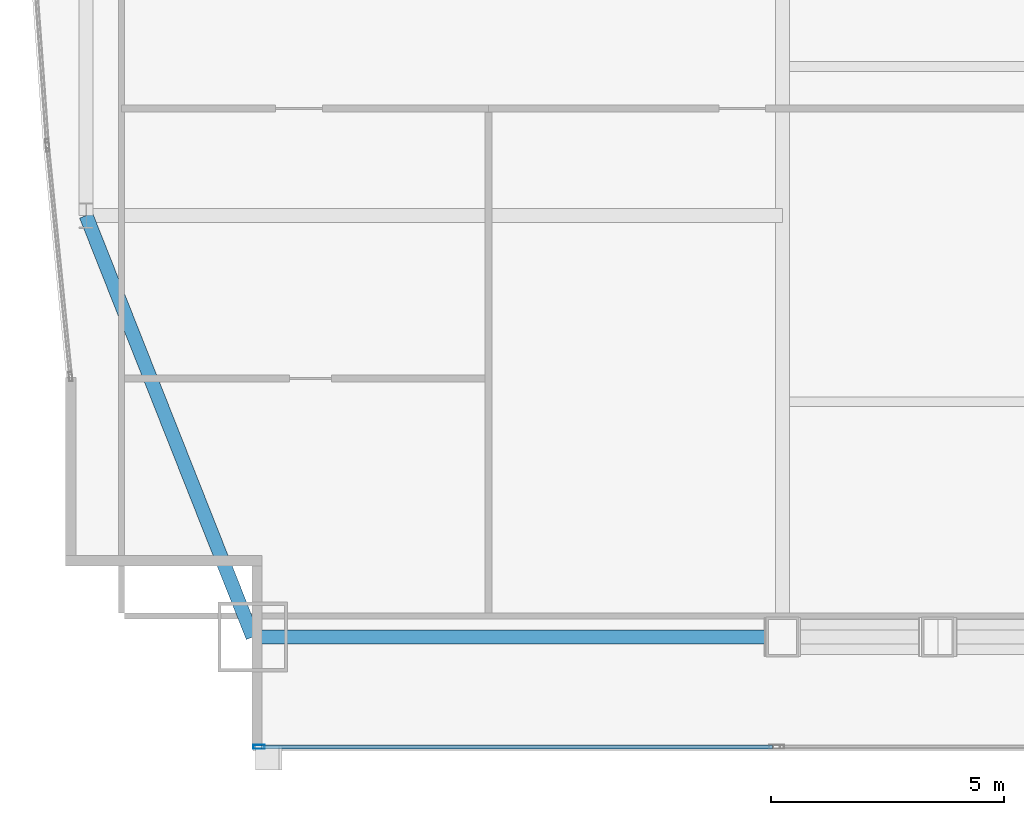
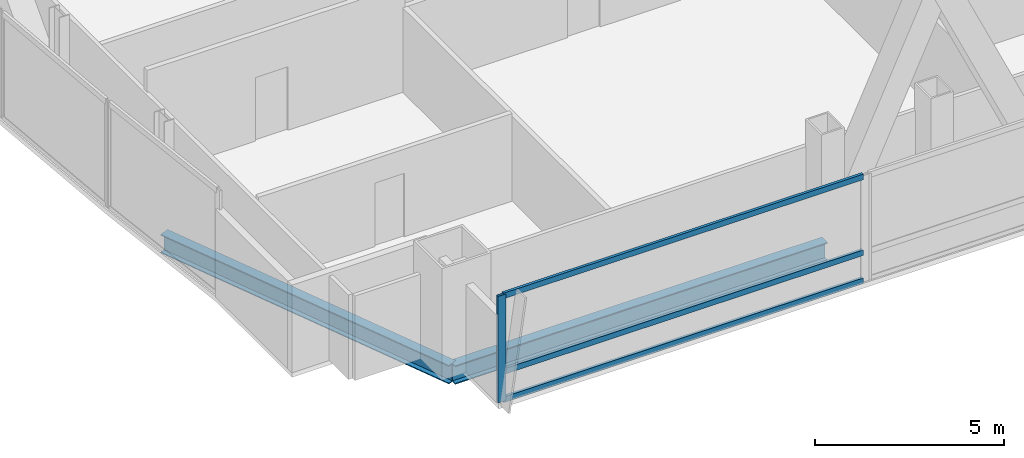
# One storey, part 5 of 31: 4 members, 2 beams, 1 element without a shape of its own.
"""IFC4 building model written with IfcOpenShell, lengths in metres."""

from ifc_helpers import new_model, si_unit, direction, frame, origin, origin_2d, place, context, subcontext, project, spatial, hollow_rectangle, i_section, extrude, material, material_profile, profile_set, type_object, element, aggregate, save


model = new_model("IFC4")

# Units and contexts
model_context = context("Model", 3, precision=1e-05, world=origin(), true_north=direction((0.0, 1.0)))
body_context = subcontext(model_context, "Body", "Model", "MODEL_VIEW")
ifc_project = project(units=[si_unit("LENGTHUNIT", "METRE"), si_unit("AREAUNIT", "SQUARE_METRE"), si_unit("VOLUMEUNIT", "CUBIC_METRE"), si_unit("PLANEANGLEUNIT", "RADIAN"), si_unit("MASSUNIT", "GRAM", prefix="KILO")], contexts=[model_context])

# Site, building, storey
site_placement = place(None, origin())
site = spatial("IfcSite", under=ifc_project, at=site_placement, CompositionType="ELEMENT")
building_placement = place(site_placement, origin())
building = spatial("IfcBuilding", under=site, at=building_placement, Name="Khoronbel Lancet Exchange", CompositionType="ELEMENT")
storey_placement = place(building_placement, frame((0.0, 0.0, 129.0)))
storey = spatial("IfcBuildingStorey", under=building, at=storey_placement, Name="L31", CompositionType="ELEMENT", Elevation=129.0)

# Beams
ifc_material_1 = material(Name="Steel S355", Category="steel")
ifc_material_profile_1 = material_profile(ifc_material_1, i_section(OverallWidth=0.300048828125, OverallDepth=0.60009765625, WebThickness=0.015380859375, FlangeThickness=0.030029296875, at=origin_2d()), Name="HEB 600")
ifc_profile_set_1 = profile_set([ifc_material_profile_1], Name="Steel S355")
beam_type = type_object("IfcBeamType", Name="BM-BSP2", PredefinedType="SPANDREL", material=ifc_profile_set_1)
beam_1_placement = place(storey_placement, frame((6.85009765625, 10.14990234375, -0.4599609375), z_axis=(1.0, 0.0, 0.0), x_axis=(0.0, 1.0, 0.0)))
element("IfcBeam", 1, at=beam_1_placement, inside=storey, type_object=beam_type, Name="Level L31 perimeter spandrel beam SP01", PredefinedType="SPANDREL", context=body_context, shape_type="SweptSolid", body=[
    extrude(i_section(OverallWidth=0.300048828125, OverallDepth=0.60009765625, WebThickness=0.015380859375, FlangeThickness=0.030029296875, at=origin_2d()), origin(), (0.0, 0.0, 1.0), 11.375),
])
beam_2_placement = place(storey_placement, frame((3.27001953125, 19.199951171875, -0.4599609375), z_axis=(0.367850095026, -0.92988510451, 0.0), x_axis=(0.92988510451, 0.367850095026, 0.0)))
element("IfcBeam", 2, at=beam_2_placement, inside=storey, type_object=beam_type, Name="Level L31 perimeter spandrel beam SP21", PredefinedType="SPANDREL", context=body_context, shape_type="SweptSolid", body=[
    extrude(i_section(OverallWidth=0.300048828125, OverallDepth=0.60009765625, WebThickness=0.015380859375, FlangeThickness=0.030029296875, at=origin_2d()), origin(), (0.0, 0.0, 1.0), 9.732421875),
])

# Curtain wall, members
ifc_material_2 = material(Name="Low-E Solar Control Insulating Glass", Category="glass")
curtain_wall_type = type_object("IfcCurtainWallType", Name="CW-2", PredefinedType="NOTDEFINED", material=ifc_material_2)
curtain_wall_placement = place(storey_placement, origin())
curtain_wall = element("IfcCurtainWall", 3, at=curtain_wall_placement, inside=storey, type_object=curtain_wall_type, Name="Unitised curtain wall CW-L31-SWV", PredefinedType="NOTDEFINED")
ifc_material_3 = material(Name="Bronze-Anodised Aluminium 6063-T6", Category="aluminium")
ifc_material_profile_2 = material_profile(ifc_material_3, hollow_rectangle(XDim=0.0849609375, YDim=0.239990234375, WallThickness=0.006103515625, at=origin_2d()), Name="ALU MULLION 85x240")
ifc_profile_set_2 = profile_set([ifc_material_profile_2], Name="Bronze-Anodised Aluminium 6063-T6")
member_type_1 = type_object("IfcMemberType", Name="MEM-CWM1", PredefinedType="MULLION", material=ifc_profile_set_2)
member_1_placement = place(storey_placement, frame((6.982421875, 7.7900390625, 0.0), z_axis=(0.0, 0.0, 1.0), x_axis=(0.0, 1.0, 0.0)))
member_1 = element("IfcMember", 4, at=member_1_placement, type_object=member_type_1, Name="CW2 mullion 1", PredefinedType="MULLION", context=body_context, shape_type="SweptSolid", body=[
    extrude(hollow_rectangle(XDim=0.0849609375, YDim=0.239990234375, WallThickness=0.006103515625, at=origin_2d()), origin(), (0.0, 0.0, 1.0), 3.43994140625),
])
ifc_material_profile_3 = material_profile(ifc_material_3, hollow_rectangle(XDim=0.0849609375, YDim=0.179931640625, WallThickness=0.0048828125, at=origin_2d()), Name="ALU TRANSOM 85x180")
ifc_profile_set_3 = profile_set([ifc_material_profile_3], Name="Bronze-Anodised Aluminium 6063-T6")
member_type_2 = type_object("IfcMemberType", Name="MEM-CWT1", PredefinedType="USERDEFINED", material=ifc_profile_set_3)
member_2_placement = place(storey_placement, frame((7.02490234375, 7.7900390625, 0.04248046875), z_axis=(1.0, 0.0, 0.0), x_axis=(0.0, 1.0, 0.0)))
member_2 = element("IfcMember", 5, at=member_2_placement, type_object=member_type_2, Name="CW2 transom 1.1", ObjectType="TRANSOM", PredefinedType="USERDEFINED", context=body_context, shape_type="SweptSolid", body=[
    extrude(hollow_rectangle(XDim=0.0849609375, YDim=0.179931640625, WallThickness=0.0048828125, at=origin_2d()), origin(), (0.0, 0.0, 1.0), 10.989990234375),
])
member_3_placement = place(storey_placement, frame((7.02490234375, 7.7900390625, 0.949951171875), z_axis=(1.0, 0.0, 0.0), x_axis=(0.0, 1.0, 0.0)))
member_3 = element("IfcMember", 6, at=member_3_placement, type_object=member_type_2, Name="CW2 transom 1.2", ObjectType="TRANSOM", PredefinedType="USERDEFINED", context=body_context, shape_type="SweptSolid", body=[
    extrude(hollow_rectangle(XDim=0.0849609375, YDim=0.179931640625, WallThickness=0.0048828125, at=origin_2d()), origin(), (0.0, 0.0, 1.0), 10.989990234375),
])
member_4_placement = place(storey_placement, frame((7.02490234375, 7.7900390625, 3.3974609375), z_axis=(1.0, 0.0, 0.0), x_axis=(0.0, 1.0, 0.0)))
member_4 = element("IfcMember", 7, at=member_4_placement, type_object=member_type_2, Name="CW2 transom 1.3", ObjectType="TRANSOM", PredefinedType="USERDEFINED", context=body_context, shape_type="SweptSolid", body=[
    extrude(hollow_rectangle(XDim=0.0849609375, YDim=0.179931640625, WallThickness=0.0048828125, at=origin_2d()), origin(), (0.0, 0.0, 1.0), 10.989990234375),
])
aggregate(curtain_wall, [member_1, member_2, member_3, member_4])

save(model, "model.ifc")
